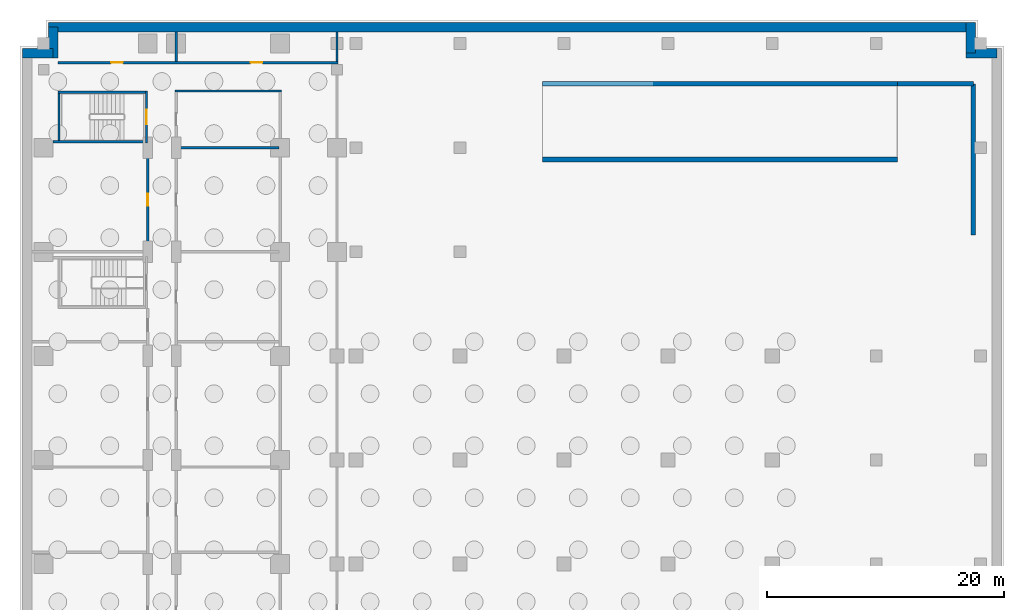
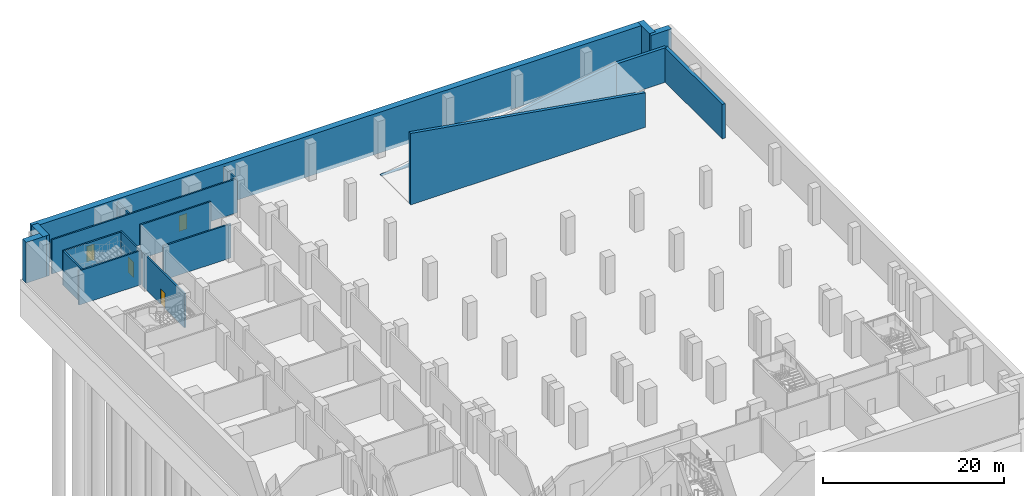
# One storey, part 8 of 14: 19 walls, 4 doors, 4 openings.
"""IFC4 building model written with IfcOpenShell, lengths in metres."""

from ifc_helpers import new_model, si_unit, direction, frame, frame_2d, origin, place, context, subcontext, project, spatial, polyline, rectangle, outline, extrude, material, layer, layer_set, type_object, element, fill, save


model = new_model("IFC4")

# Units and contexts
model_context = context("Model", 3, precision=1e-05, world=origin(), true_north=direction((0.0, 1.0)))
body_context = subcontext(model_context, "Body", "Model", "MODEL_VIEW")
ifc_project = project(units=[si_unit("LENGTHUNIT", "METRE"), si_unit("AREAUNIT", "SQUARE_METRE"), si_unit("VOLUMEUNIT", "CUBIC_METRE"), si_unit("PLANEANGLEUNIT", "RADIAN"), si_unit("MASSUNIT", "GRAM", prefix="KILO")], contexts=[model_context])

# Site, building, storey
site_placement = place(None, origin())
site = spatial("IfcSite", under=ifc_project, at=site_placement, CompositionType="ELEMENT")
building_placement = place(site_placement, origin())
building = spatial("IfcBuilding", under=site, at=building_placement, Name="Kemantara Hotel Tower", CompositionType="ELEMENT")
storey_placement = place(building_placement, frame((0.0, 0.0, -17.0)))
storey = spatial("IfcBuildingStorey", under=building, at=storey_placement, Name="B3", CompositionType="ELEMENT", Elevation=-17.0)

# Walls
ifc_material_1 = material(Name="Concrete fc 40 MPa", Category="concrete")
ifc_layer_1 = layer(ifc_material_1, 0.800048828125)
ifc_layer_set_1 = layer_set([ifc_layer_1], Name="Concrete fc 40 MPa")
wall_type_1 = type_object("IfcWallType", Name="BASEMENT PERIMETER WALL 800 FC40", PredefinedType="SHEAR", material=ifc_layer_set_1)
for number, where, z_axis, x_axis, name in (
    (1, (-0.800048828125, 79.39990234375, -0.5), (0.0, 0.0, 1.0), (1.0, 0.0, 0.0), "BASEMENT PERIMETER WALL B3 8"),
    (2, (1.800048828125, 79.0, -0.5), (0.0, 0.0, 1.0), (0.0, 1.0, 0.0), "BASEMENT PERIMETER WALL B3 9"),
):
    element("IfcWall", number, at=place(storey_placement, frame(where, z_axis=z_axis, x_axis=x_axis)), inside=storey, type_object=wall_type_1, Name=name, PredefinedType="SHEAR", context=body_context, shape_type="SweptSolid", body=[
        extrude(rectangle(XDim=2.60009765625, YDim=0.800048828125, at=frame_2d((1.300048828125, 0.0))), origin(), (0.0, 0.0, 1.0), 5.5),
    ])
wall_1_placement = place(storey_placement, frame((1.39990234375, 81.60009765625, -0.5), z_axis=(0.0, 0.0, 1.0), x_axis=(1.0, 0.0, 0.0)))
element("IfcWall", 3, at=wall_1_placement, inside=storey, type_object=wall_type_1, Name="BASEMENT PERIMETER WALL B3 10", PredefinedType="SHEAR", context=body_context, shape_type="SweptSolid", body=[
    extrude(rectangle(XDim=78.0, YDim=0.800048828125, at=frame_2d((39.0, 0.0))), origin(), (0.0, 0.0, 1.0), 5.5),
])
for number, where, z_axis, x_axis, name in (
    (4, (79.39990234375, 82.0, -0.5), (0.0, 0.0, 1.0), (0.0, -1.0, 0.0), "BASEMENT PERIMETER WALL B3 11"),
    (5, (79.0, 79.39990234375, -0.5), (0.0, 0.0, 1.0), (1.0, 0.0, 0.0), "BASEMENT PERIMETER WALL B3 12"),
):
    element("IfcWall", number, at=place(storey_placement, frame(where, z_axis=z_axis, x_axis=x_axis)), inside=storey, type_object=wall_type_1, Name=name, PredefinedType="SHEAR", context=body_context, shape_type="SweptSolid", body=[
        extrude(rectangle(XDim=2.60009765625, YDim=0.800048828125, at=frame_2d((1.300048828125, 0.0))), origin(), (0.0, 0.0, 1.0), 5.5),
    ])

# Wall, opening, door
ifc_layer_2 = layer(ifc_material_1, 0.199951171875)
ifc_layer_set_2 = layer_set([ifc_layer_2], Name="Concrete fc 40 MPa")
wall_type_2 = type_object("IfcWallType", Name="Concrete stair wall 200 mm", PredefinedType="SHEAR", material=ifc_layer_set_2)
wall_2_placement = place(storey_placement, frame((9.699951171875, 71.800048828125, 0.0), z_axis=(0.0, 0.0, 1.0), x_axis=(0.0, 1.0, 0.0)))
wall_2 = element("IfcWall", 6, at=wall_2_placement, inside=storey, type_object=wall_type_2, Name="Stair ST6 enclosure wall with door", PredefinedType="SHEAR", context=body_context, shape_type="SweptSolid", body=[
    extrude(rectangle(XDim=4.39990234375, YDim=0.199951171875, at=frame_2d((2.199951171875, 0.0))), origin(), (0.0, 0.0, 1.0), 4.60009765625),
])
opening_1_placement = place(wall_2_placement, frame((1.60009765625, 0.0, 0.0)))
opening_1 = element("IfcOpeningElement", 7, at=opening_1_placement, cuts=wall_2, Name="Opening ST6-C", PredefinedType="OPENING", context=body_context, shape_type="SweptSolid", body=[
    extrude(rectangle(XDim=1.199951171875, YDim=2.10009765625, at=frame_2d((0.60009765625, 1.050048828125))), frame((0.0, 0.10986328125, 0.0), z_axis=(0.0, -1.0, 0.0), x_axis=(1.0, 0.0, 0.0)), (0.0, 0.0, 1.0), 0.219970703125),
])
ifc_material_2 = material(Name="Steel fire door", Category="steel")
door_type_1 = type_object("IfcDoorType", Name="Fire door FD90 1200 x 2100", OperationType="NOTDEFINED", PredefinedType="DOOR", material=ifc_material_2)
door_1_placement = place(opening_1_placement, origin())
door_1 = element("IfcDoor", 8, at=door_1_placement, inside=storey, type_object=door_type_1, Name="Stair ST6 door", OperationType="SINGLE_SWING_RIGHT", OverallHeight=2.10009765625, OverallWidth=1.199951171875, PredefinedType="DOOR", context=body_context, shape_type="SweptSolid", body=[
    extrude(rectangle(XDim=1.199951171875, YDim=2.10009765625, at=frame_2d((0.60009765625, 1.050048828125))), frame((0.0, 0.02490234375, 0.0), z_axis=(0.0, -1.0, 0.0), x_axis=(1.0, 0.0, 0.0)), (0.0, 0.0, 1.0), 0.050048828125),
])
fill(opening_1, door_1)

# Walls
wall_3_placement = place(storey_placement, frame((2.199951171875, 76.10009765625, 0.0), z_axis=(0.0, 0.0, 1.0), x_axis=(1.0, 0.0, 0.0)))
element("IfcWall", 9, at=wall_3_placement, inside=storey, type_object=wall_type_2, Name="Stair ST6 enclosure wall N", PredefinedType="SHEAR", context=body_context, shape_type="SweptSolid", body=[
    extrude(rectangle(XDim=7.400146484375, YDim=0.199951171875, at=frame_2d((3.7001953125, 0.0))), origin(), (0.0, 0.0, 1.0), 4.60009765625),
])
wall_4_placement = place(storey_placement, frame((1.800048828125, 71.89990234375, 0.0), z_axis=(0.0, 0.0, 1.0), x_axis=(1.0, 0.0, 0.0)))
element("IfcWall", 10, at=wall_4_placement, inside=storey, type_object=wall_type_2, Name="Stair ST6 enclosure wall S", PredefinedType="SHEAR", context=body_context, shape_type="SweptSolid", body=[
    extrude(rectangle(XDim=7.800048828125, YDim=0.199951171875, at=frame_2d((3.89990234375, 0.0))), origin(), (0.0, 0.0, 1.0), 4.60009765625),
])
wall_5_placement = place(storey_placement, frame((2.300048828125, 72.0, 0.0), z_axis=(0.0, 0.0, 1.0), x_axis=(0.0, 1.0, 0.0)))
element("IfcWall", 11, at=wall_5_placement, inside=storey, type_object=wall_type_2, Name="Stair ST6 enclosure wall W", PredefinedType="SHEAR", context=body_context, shape_type="SweptSolid", body=[
    extrude(rectangle(XDim=4.0, YDim=0.199951171875, at=frame_2d((2.0, 0.0))), origin(), (0.0, 0.0, 1.0), 4.60009765625),
])
ifc_material_3 = material(Name="Clay brick masonry", Category="masonry")
ifc_layer_3 = layer(ifc_material_3, 0.199951171875)
ifc_layer_set_3 = layer_set([ifc_layer_3], Name="Clay brick masonry")
wall_type_3 = type_object("IfcWallType", Name="FIRE-RATED CLAY BRICK WALL 200 EI 120", PredefinedType="PARTITIONING", material=ifc_layer_set_3)
wall_6_placement = place(storey_placement, frame((12.300048828125, 71.39990234375, 0.0), z_axis=(0.0, 0.0, 1.0), x_axis=(1.0, 0.0, 0.0)))
element("IfcWall", 12, at=wall_6_placement, inside=storey, type_object=wall_type_3, Name="FIRE WALL", PredefinedType="PARTITIONING", context=body_context, shape_type="SweptSolid", body=[
    extrude(rectangle(XDim=8.599853515625, YDim=0.199951171875, at=frame_2d((4.2998046875, 0.0))), origin(), (0.0, 0.0, 1.0), 4.60009765625),
])
for number, where, z_axis, x_axis, name in (
    (13, (12.199951171875, 78.699951171875, 0.0), (0.0, 0.0, 1.0), (0.0, 1.0, 0.0), "FIRE WALL"),
    (14, (25.800048828125, 78.699951171875, 0.0), (0.0, 0.0, 1.0), (0.0, 1.0, 0.0), "FIRE WALL"),
):
    element("IfcWall", number, at=place(storey_placement, frame(where, z_axis=z_axis, x_axis=x_axis)), inside=storey, type_object=wall_type_3, Name=name, PredefinedType="PARTITIONING", context=body_context, shape_type="SweptSolid", body=[
        extrude(rectangle(XDim=2.5, YDim=0.199951171875, at=frame_2d((1.25, 0.0))), origin(), (0.0, 0.0, 1.0), 4.60009765625),
    ])
ifc_material_4 = material(Name="Fire-rated gypsum board partition")
ifc_layer_4 = layer(ifc_material_4, 0.199951171875)
ifc_layer_set_4 = layer_set([ifc_layer_4], Name="Fire-rated gypsum board partition")
wall_type_4 = type_object("IfcWallType", Name="FIRE-RATED GYPSUM PARTITION 200 EI 60", PredefinedType="PARTITIONING", material=ifc_layer_set_4)
wall_7_placement = place(storey_placement, frame((12.10009765625, 76.199951171875, 0.0), z_axis=(0.0, 0.0, 1.0), x_axis=(1.0, 0.0, 0.0)))
element("IfcWall", 15, at=wall_7_placement, inside=storey, type_object=wall_type_4, Name="FIRE-RATED PARTITION", PredefinedType="PARTITIONING", context=body_context, shape_type="SweptSolid", body=[
    extrude(rectangle(XDim=9.0, YDim=0.199951171875, at=frame_2d((4.5, 0.0))), origin(), (0.0, 0.0, 1.0), 4.60009765625),
])

# Wall, openings, doors
wall_8_placement = place(storey_placement, frame((2.199951171875, 78.60009765625, 0.0), z_axis=(0.0, 0.0, 1.0), x_axis=(1.0, 0.0, 0.0)))
wall_8 = element("IfcWall", 16, at=wall_8_placement, inside=storey, type_object=wall_type_4, Name="FIRE-RATED PARTITION", PredefinedType="PARTITIONING", context=body_context, shape_type="SweptSolid", body=[
    extrude(rectangle(XDim=23.699951171875, YDim=0.199951171875, at=frame_2d((11.85009765625, 0.0))), origin(), (0.0, 0.0, 1.0), 4.60009765625),
])
opening_2_placement = place(wall_8_placement, frame((4.5, 0.0, 0.0)))
opening_2 = element("IfcOpeningElement", 17, at=opening_2_placement, cuts=wall_8, Name="Opening B3-B021", PredefinedType="OPENING", context=body_context, shape_type="SweptSolid", body=[
    extrude(rectangle(XDim=1.0, YDim=2.10009765625, at=frame_2d((0.5, 1.050048828125))), frame((0.0, 0.10986328125, 0.0), z_axis=(0.0, -1.0, 0.0), x_axis=(1.0, 0.0, 0.0)), (0.0, 0.0, 1.0), 0.219970703125),
])
opening_3_placement = place(wall_8_placement, frame((16.300048828125, 0.0, 0.0)))
opening_3 = element("IfcOpeningElement", 18, at=opening_3_placement, cuts=wall_8, Name="Opening B3-B022", PredefinedType="OPENING", context=body_context, shape_type="SweptSolid", body=[
    extrude(rectangle(XDim=1.0, YDim=2.10009765625, at=frame_2d((0.5, 1.050048828125))), frame((0.0, 0.10986328125, 0.0), z_axis=(0.0, -1.0, 0.0), x_axis=(1.0, 0.0, 0.0)), (0.0, 0.0, 1.0), 0.219970703125),
])
ifc_material_5 = material(Name="Galvanised steel door leaf", Category="steel")
door_type_2 = type_object("IfcDoorType", Name="FIRE-RATED STEEL DOOR 1000 X 2100", OperationType="SINGLE_SWING_LEFT", PredefinedType="DOOR", material=ifc_material_5)
door_2_placement = place(opening_2_placement, frame((1.0, 0.0, 0.0), z_axis=(0.0, 0.0, 1.0), x_axis=(-1.0, 0.0, 0.0)))
door_2 = element("IfcDoor", 19, at=door_2_placement, inside=storey, type_object=door_type_2, Name="FIRE-RATED STEEL DOOR", OperationType="SINGLE_SWING_RIGHT", OverallHeight=2.10009765625, OverallWidth=1.0, PredefinedType="DOOR", context=body_context, shape_type="SweptSolid", body=[
    extrude(rectangle(XDim=1.0, YDim=2.10009765625, at=frame_2d((0.5, 1.050048828125))), frame((0.0, 0.02490234375, 0.0), z_axis=(0.0, -1.0, 0.0), x_axis=(1.0, 0.0, 0.0)), (0.0, 0.0, 1.0), 0.050048828125),
])
fill(opening_2, door_2)
door_3_placement = place(opening_3_placement, frame((1.0, 0.0, 0.0), z_axis=(0.0, 0.0, 1.0), x_axis=(-1.0, 0.0, 0.0)))
door_3 = element("IfcDoor", 20, at=door_3_placement, inside=storey, type_object=door_type_2, Name="FIRE-RATED STEEL DOOR", OperationType="SINGLE_SWING_LEFT", OverallHeight=2.10009765625, OverallWidth=1.0, PredefinedType="DOOR", context=body_context, shape_type="SweptSolid", body=[
    extrude(rectangle(XDim=1.0, YDim=2.10009765625, at=frame_2d((0.5, 1.050048828125))), frame((0.0, 0.02490234375, 0.0), z_axis=(0.0, -1.0, 0.0), x_axis=(1.0, 0.0, 0.0)), (0.0, 0.0, 1.0), 0.050048828125),
])
fill(opening_3, door_3)

# Wall, opening, door
wall_9_placement = place(storey_placement, frame((9.800048828125, 62.199951171875, 0.0), z_axis=(0.0, 0.0, 1.0), x_axis=(0.0, 1.0, 0.0)))
wall_9 = element("IfcWall", 21, at=wall_9_placement, inside=storey, type_object=wall_type_4, Name="FIRE-RATED PARTITION", PredefinedType="PARTITIONING", context=body_context, shape_type="SweptSolid", body=[
    extrude(rectangle(XDim=9.199951171875, YDim=0.199951171875, at=frame_2d((4.60009765625, 0.0))), origin(), (0.0, 0.0, 1.0), 4.60009765625),
])
opening_4_placement = place(wall_9_placement, frame((4.300048828125, 0.0, 0.0)))
opening_4 = element("IfcOpeningElement", 22, at=opening_4_placement, cuts=wall_9, Name="Opening B3-B008", PredefinedType="OPENING", context=body_context, shape_type="SweptSolid", body=[
    extrude(rectangle(XDim=1.0, YDim=2.10009765625, at=frame_2d((0.5, 1.050048828125))), frame((0.0, 0.10986328125, 0.0), z_axis=(0.0, -1.0, 0.0), x_axis=(1.0, 0.0, 0.0)), (0.0, 0.0, 1.0), 0.219970703125),
])
door_4_placement = place(opening_4_placement, frame((1.0, 0.0, 0.0), z_axis=(0.0, 0.0, 1.0), x_axis=(-1.0, 0.0, 0.0)))
door_4 = element("IfcDoor", 23, at=door_4_placement, inside=storey, type_object=door_type_2, Name="FIRE-RATED STEEL DOOR", OperationType="SINGLE_SWING_LEFT", OverallHeight=2.10009765625, OverallWidth=1.0, PredefinedType="DOOR", context=body_context, shape_type="SweptSolid", body=[
    extrude(rectangle(XDim=1.0, YDim=2.10009765625, at=frame_2d((0.5, 1.050048828125))), frame((0.0, 0.02490234375, 0.0), z_axis=(0.0, -1.0, 0.0), x_axis=(1.0, 0.0, 0.0)), (0.0, 0.0, 1.0), 0.050048828125),
])
fill(opening_4, door_4)

# Walls
ifc_layer_5 = layer(ifc_material_1, 0.39990234375)
ifc_layer_set_5 = layer_set([ifc_layer_5], Name="Concrete fc 40 MPa")
wall_type_5 = type_object("IfcWallType", Name="RAMP WALL 400 FC40", PredefinedType="SHEAR", material=ifc_layer_set_5)
wall_10_placement = place(storey_placement, frame((43.199951171875, 70.39990234375, 0.0), z_axis=(0.0, 0.0, 1.0), x_axis=(1.0, 0.0, 0.0)))
element("IfcWall", 24, at=wall_10_placement, inside=storey, type_object=wall_type_5, Name="RAMP DIVIDER WALL R2 R3", PredefinedType="SHEAR", context=body_context, shape_type="SweptSolid", body=[
    extrude(outline(polyline([(0.0, 0.0), (30.0, 0.0), (30.0, 4.64990234375), (27.272705078125, 5.1044921875), (24.54541015625, 5.55908203125), (21.818115234375, 6.013671875), (19.0908203125, 6.46826171875), (16.363525390625, 6.922607421875), (13.636474609375, 7.377197265625), (10.9091796875, 7.831787109375), (8.181884765625, 8.286376953125), (5.45458984375, 8.740966796875), (2.727294921875, 9.195556640625), (0.0, 9.64990234375), (0.0, 0.0)])), frame((0.0, 0.199951171875, 0.0), z_axis=(0.0, -1.0, 0.0), x_axis=(1.0, 0.0, 0.0)), (0.0, 0.0, 1.0), 0.39990234375),
])
wall_11_placement = place(storey_placement, frame((43.199951171875, 76.800048828125, 0.0), z_axis=(0.0, 0.0, 1.0), x_axis=(1.0, 0.0, 0.0)))
element("IfcWall", 25, at=wall_11_placement, inside=storey, type_object=wall_type_5, Name="RAMP WALL R3 NORTH", PredefinedType="SHEAR", context=body_context, shape_type="SweptSolid", body=[
    extrude(outline(polyline([(0.0, 0.0), (30.0, 0.0), (30.0, 4.64990234375), (27.272705078125, 4.195556640625), (24.54541015625, 3.740966796875), (21.818115234375, 3.286376953125), (19.0908203125, 2.831787109375), (16.363525390625, 2.377197265625), (13.636474609375, 1.922607421875), (10.9091796875, 1.46826171875), (8.181884765625, 1.013671875), (5.45458984375, 0.55908203125), (2.727294921875, 0.1044921875), (0.0, 0.050048828125), (0.0, 0.0)])), frame((0.0, 0.199951171875, 0.0), z_axis=(0.0, -1.0, 0.0), x_axis=(1.0, 0.0, 0.0)), (0.0, 0.0, 1.0), 0.39990234375),
])
wall_12_placement = place(storey_placement, frame((73.199951171875, 76.800048828125, 0.0), z_axis=(0.0, 0.0, 1.0), x_axis=(1.0, 0.0, 0.0)))
element("IfcWall", 26, at=wall_12_placement, inside=storey, type_object=wall_type_5, Name="LANDING SUPPORT WALL B2 NORTH", PredefinedType="SHEAR", context=body_context, shape_type="SweptSolid", body=[
    extrude(outline(polyline([(0.0, 0.0), (6.400146484375, 0.0), (6.39990234375, 4.64990234375), (4.2666015625, 4.64990234375), (2.13330078125, 4.64990234375), (0.0, 4.64990234375), (0.0, 0.0)])), frame((0.0, 0.199951171875, 0.0), z_axis=(0.0, -1.0, 0.0), x_axis=(1.0, 0.0, 0.0)), (0.0, 0.0, 1.0), 0.39990234375),
])
wall_13_placement = place(storey_placement, frame((79.60009765625, 64.0, 0.0), z_axis=(0.0, 0.0, 1.0), x_axis=(0.0, 1.0, 0.0)))
element("IfcWall", 27, at=wall_13_placement, inside=storey, type_object=wall_type_5, Name="LANDING SUPPORT WALL B2 EAST", PredefinedType="SHEAR", context=body_context, shape_type="SweptSolid", body=[
    extrude(outline(polyline([(0.0, 0.0), (12.800048828125, 0.0), (12.800048828125, 4.64990234375), (10.239990234375, 4.64990234375), (7.679931640625, 4.64990234375), (5.1201171875, 4.64990234375), (2.56005859375, 4.64990234375), (0.0, 4.64990234375), (0.0, 0.0)])), frame((0.0, 0.199951171875, 0.0), z_axis=(0.0, -1.0, 0.0), x_axis=(1.0, 0.0, 0.0)), (0.0, 0.0, 1.0), 0.39990234375),
])

save(model, "model.ifc")
